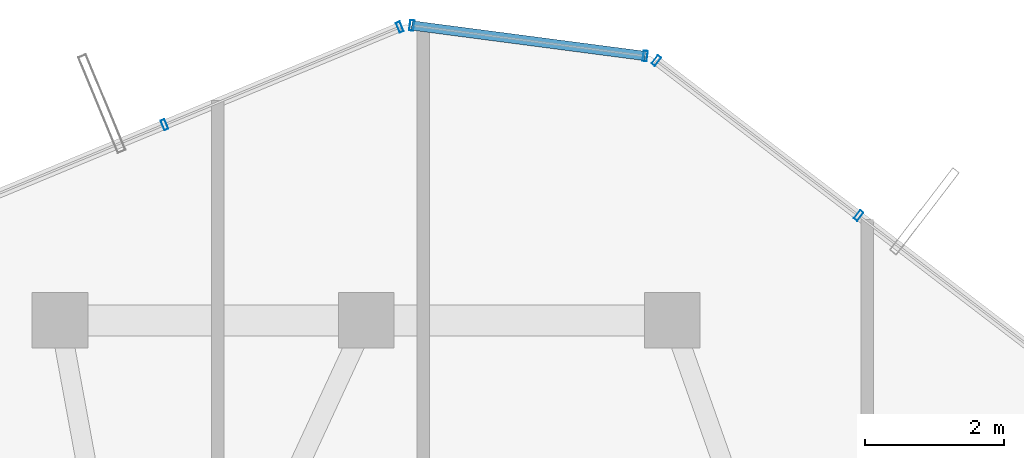
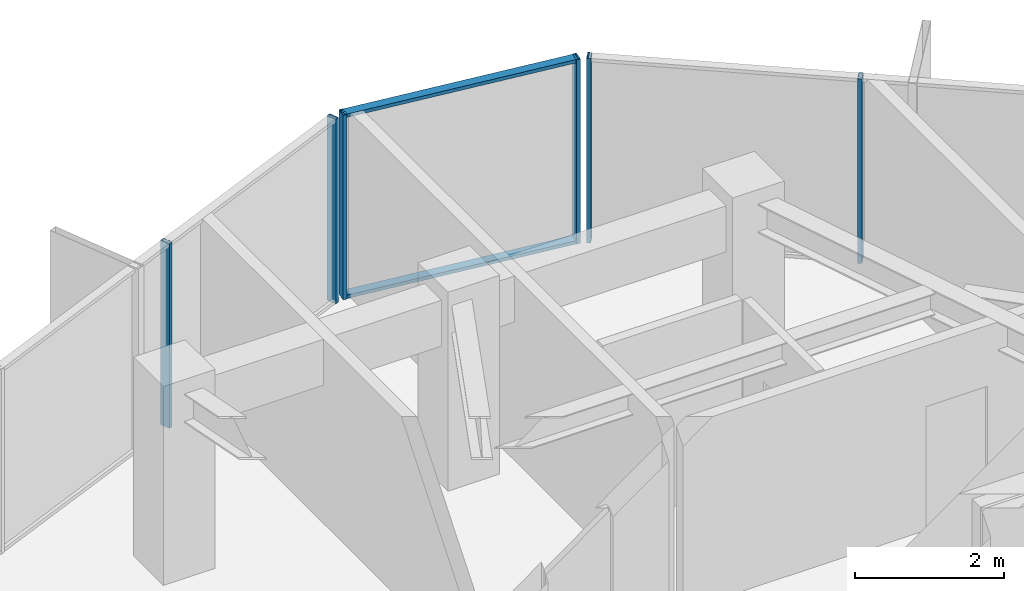
# One storey, part 25 of 31: 8 members, 3 elements without a shape of their own.
"""IFC4 building model written with IfcOpenShell, lengths in metres."""

from ifc_helpers import new_model, si_unit, direction, frame, origin, origin_2d, place, context, subcontext, project, spatial, hollow_rectangle, extrude, source, transform, mapped, material, layer, layer_set, material_profile, profile_set, type_object, element, aggregate, save


model = new_model("IFC4")

# Units and contexts
model_context = context("Model", 3, precision=1e-05, world=origin(), true_north=direction((0.0, 1.0)))
body_context = subcontext(model_context, "Body", "Model", "MODEL_VIEW")
ifc_project = project(units=[si_unit("LENGTHUNIT", "METRE"), si_unit("AREAUNIT", "SQUARE_METRE"), si_unit("VOLUMEUNIT", "CUBIC_METRE"), si_unit("PLANEANGLEUNIT", "RADIAN"), si_unit("MASSUNIT", "GRAM", prefix="KILO")], contexts=[model_context])

# Site, building, storey
site_placement = place(None, origin())
site = spatial("IfcSite", under=ifc_project, at=site_placement, CompositionType="ELEMENT")
building_placement = place(site_placement, origin())
building = spatial("IfcBuilding", under=site, at=building_placement, Name="Veraguas Prism Commons", CompositionType="ELEMENT")
storey_placement = place(building_placement, frame((0.0, 0.0, 233.300048828125)))
storey = spatial("IfcBuildingStorey", under=building, at=storey_placement, Name="L66", CompositionType="ELEMENT", Elevation=233.300048828125)

# Curtain wall, members
ifc_material = material(Name="Anodised aluminium EN AW-6063 T6", Category="aluminium")
ifc_layer = layer(ifc_material, 0.14990234375, Name="Unitised Flush Curtain Wall Zone 4", Category="aluminium")
ifc_layer_set = layer_set([ifc_layer], Name="Anodised aluminium EN AW-6063 T6")
curtain_wall_type = type_object("IfcCurtainWallType", Name="Unitised Flush Curtain Wall Zone 4", PredefinedType="NOTDEFINED", material=ifc_layer_set)
curtain_wall_1_placement = place(storey_placement, origin())
curtain_wall_1 = element("IfcCurtainWall", 1, at=curtain_wall_1_placement, inside=storey, type_object=curtain_wall_type, Name="Tower Facade Curtain Wall L66-F1", PredefinedType="NOTDEFINED")
ifc_material_profile_1 = material_profile(ifc_material, hollow_rectangle(XDim=0.06005859375, YDim=0.14990234375, WallThickness=0.0029296875, at=origin_2d()), Name="AL60X150X3")
ifc_profile_set_1 = profile_set([ifc_material_profile_1], Name="Anodised aluminium EN AW-6063 T6")
member_type_1 = type_object("IfcMemberType", Name="Curtain Wall Mullion Upper AL 60x150x3", PredefinedType="MULLION", material=ifc_profile_set_1)
shared_shape_1 = source(origin(), body_context, "Body", "SweptSolid", [
    extrude(hollow_rectangle(XDim=0.06005859375, YDim=0.14990234375, WallThickness=0.0029296875, at=origin_2d()), origin(), (0.0, 0.0, 1.0), 3.014892578125),
])
member_1_placement = place(storey_placement, frame((31.077392578125, 39.306396484375, 0.0), z_axis=(0.0, 0.0, 1.0), x_axis=(-0.793780265613, 0.608204644773, 0.0)))
member_1 = element("IfcMember", 2, at=member_1_placement, type_object=member_type_1, Name="CW-Z4 Mullion 4", PredefinedType="MULLION", context=body_context, shape_type="MappedRepresentation", body=[
    mapped(shared_shape_1, transform((0.0, 0.0, 0.0), scale=1.0)),
])
member_2_placement = place(storey_placement, frame((28.1708984375, 41.533447265625, 0.0), z_axis=(0.0, 0.0, 1.0), x_axis=(-0.793780265613, 0.608204644773, 0.0)))
member_2 = element("IfcMember", 3, at=member_2_placement, type_object=member_type_1, Name="CW-Z4 Mullion 5", PredefinedType="MULLION", context=body_context, shape_type="MappedRepresentation", body=[
    mapped(shared_shape_1, transform((0.0, 0.0, 0.0), scale=1.0)),
])
aggregate(curtain_wall_1, [member_1, member_2])

curtain_wall_2_placement = place(storey_placement, origin())
curtain_wall_2 = element("IfcCurtainWall", 4, at=curtain_wall_2_placement, inside=storey, type_object=curtain_wall_type, Name="Tower Facade Curtain Wall L66-F2", PredefinedType="NOTDEFINED")
member_3_placement = place(storey_placement, frame((24.484130859375, 42.01611328125, 0.0), z_axis=(0.0, 0.0, 1.0), x_axis=(-0.923614820068, -0.383321880606, 0.0)))
member_3 = element("IfcMember", 5, at=member_3_placement, type_object=member_type_1, Name="CW-Z4 Mullion 1", PredefinedType="MULLION", context=body_context, shape_type="MappedRepresentation", body=[
    mapped(shared_shape_1, transform((0.0, 0.0, 0.0), scale=1.0)),
])
member_4_placement = place(storey_placement, frame((21.102294921875, 40.612548828125, 0.0), z_axis=(0.0, 0.0, 1.0), x_axis=(-0.923614820068, -0.383321880606, 0.0)))
member_4 = element("IfcMember", 6, at=member_4_placement, type_object=member_type_1, Name="CW-Z4 Mullion 2", PredefinedType="MULLION", context=body_context, shape_type="MappedRepresentation", body=[
    mapped(shared_shape_1, transform((0.0, 0.0, 0.0), scale=1.0)),
])
aggregate(curtain_wall_2, [member_3, member_4])

curtain_wall_3_placement = place(storey_placement, origin())
curtain_wall_3 = element("IfcCurtainWall", 7, at=curtain_wall_3_placement, inside=storey, type_object=curtain_wall_type, Name="Chamfer Curtain Wall L66-C2", PredefinedType="NOTDEFINED")
member_5_placement = place(storey_placement, frame((28.01025390625, 41.599853515625, 0.0), z_axis=(0.0, 0.0, 1.0), x_axis=(-0.991537556958, 0.129820156917, 0.0)))
member_5 = element("IfcMember", 8, at=member_5_placement, type_object=member_type_1, Name="CW-Z4 Mullion 1", PredefinedType="MULLION", context=body_context, shape_type="MappedRepresentation", body=[
    mapped(shared_shape_1, transform((0.0, 0.0, 0.0), scale=1.0)),
])
member_6_placement = place(storey_placement, frame((24.656494140625, 42.0390625, 0.0), z_axis=(0.0, 0.0, 1.0), x_axis=(-0.991537556958, 0.129820156917, 0.0)))
member_6 = element("IfcMember", 9, at=member_6_placement, type_object=member_type_1, Name="CW-Z4 Mullion 2", PredefinedType="MULLION", context=body_context, shape_type="MappedRepresentation", body=[
    mapped(shared_shape_1, transform((0.0, 0.0, 0.0), scale=1.0)),
])
ifc_material_profile_2 = material_profile(ifc_material, hollow_rectangle(XDim=0.054931640625, YDim=0.135009765625, WallThickness=0.0029296875, at=origin_2d()), Name="AL55X135X3")
ifc_profile_set_2 = profile_set([ifc_material_profile_2], Name="Anodised aluminium EN AW-6063 T6")
member_type_2 = type_object("IfcMemberType", Name="Curtain Wall Transom Standard AL 55x135x3", PredefinedType="USERDEFINED", material=ifc_profile_set_2)
shared_shape_2 = source(origin(), body_context, "Body", "SweptSolid", [
    extrude(hollow_rectangle(XDim=0.054931640625, YDim=0.135009765625, WallThickness=0.0029296875, at=origin_2d()), origin(), (0.0, 0.0, 1.0), 3.38232421875),
])
member_7_placement = place(storey_placement, frame((28.01025390625, 41.599853515625, 0.02734375), z_axis=(-0.991533465641, 0.129851401666, 0.0), x_axis=(0.0, 0.0, 1.0)))
member_7 = element("IfcMember", 10, at=member_7_placement, type_object=member_type_2, Name="CW-Z4 Transom 1", ObjectType="TRANSOM", PredefinedType="USERDEFINED", context=body_context, shape_type="MappedRepresentation", body=[
    mapped(shared_shape_2, transform((0.0, 0.0, 0.0), scale=1.0)),
])
member_8_placement = place(storey_placement, frame((28.01025390625, 41.599853515625, 2.987548828125), z_axis=(-0.991533465641, 0.129851401666, 0.0), x_axis=(0.0, 0.0, 1.0)))
member_8 = element("IfcMember", 11, at=member_8_placement, type_object=member_type_2, Name="CW-Z4 Transom 2", ObjectType="TRANSOM", PredefinedType="USERDEFINED", context=body_context, shape_type="MappedRepresentation", body=[
    mapped(shared_shape_2, transform((0.0, 0.0, 0.0), scale=1.0)),
])
aggregate(curtain_wall_3, [member_5, member_6, member_7, member_8])

save(model, "model.ifc")
